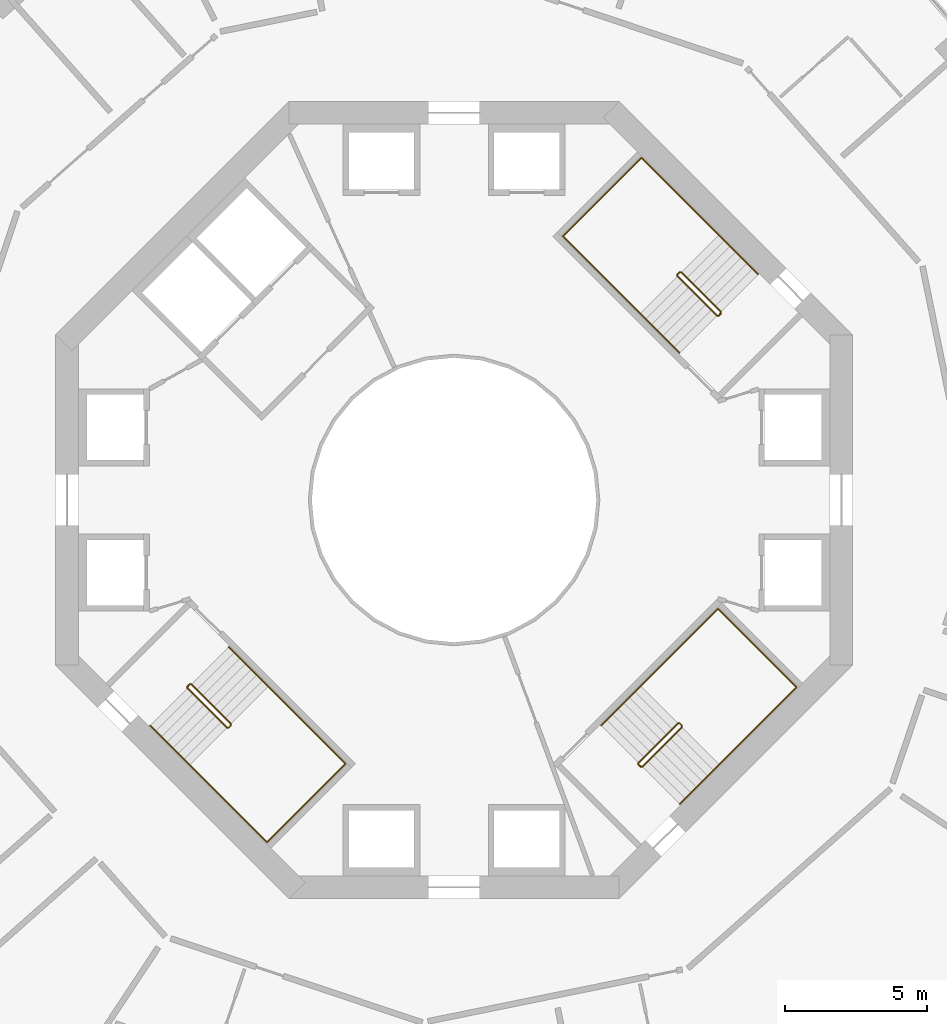
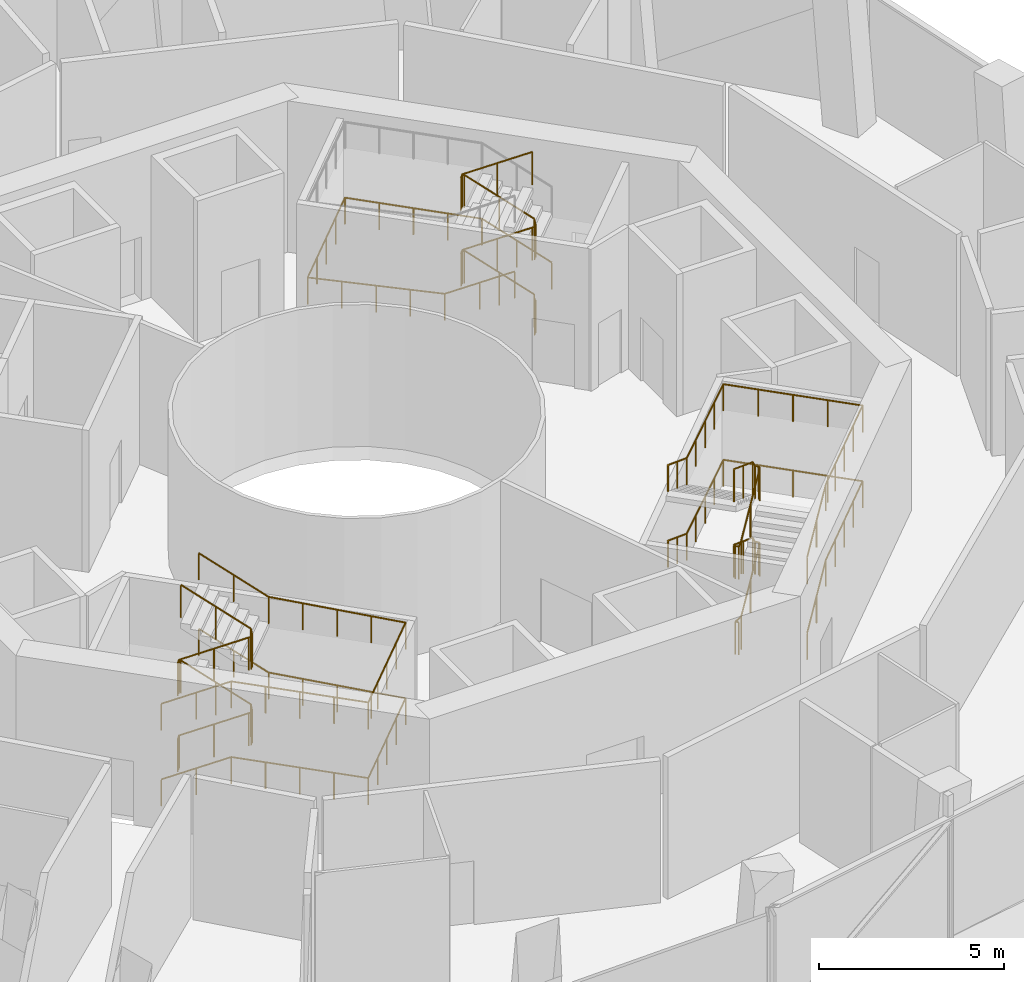
# One storey, part 19 of 20: 8 railings.
"""IFC4 building model written with IfcOpenShell, lengths in metres."""

from ifc_helpers import new_model, si_unit, direction, frame, origin, origin_2d, place, context, subcontext, project, spatial, circle, extrude, material, type_object, element, save


model = new_model("IFC4")

# Units and contexts
model_context = context("Model", 3, precision=1e-05, world=origin(), true_north=direction((0.0, 1.0)))
body_context = subcontext(model_context, "Body", "Model", "MODEL_VIEW")
ifc_project = project(units=[si_unit("LENGTHUNIT", "METRE"), si_unit("AREAUNIT", "SQUARE_METRE"), si_unit("VOLUMEUNIT", "CUBIC_METRE"), si_unit("PLANEANGLEUNIT", "RADIAN"), si_unit("MASSUNIT", "GRAM", prefix="KILO")], contexts=[model_context])

# Site, building, storey
site_placement = place(None, origin())
site = spatial("IfcSite", under=ifc_project, at=site_placement, CompositionType="ELEMENT")
building_placement = place(site_placement, origin())
building = spatial("IfcBuilding", under=site, at=building_placement, Name="Verdalira Terraces Hotel", CompositionType="ELEMENT")
storey_placement = place(building_placement, frame((0.0, 0.0, 81.0)))
storey = spatial("IfcBuildingStorey", under=building, at=storey_placement, Name="L18", CompositionType="ELEMENT", Elevation=81.0)

# Railings
ifc_material_1 = material(Name="Stainless steel", Category="steel")
railing_type_1 = type_object("IfcRailingType", Name="Stair guard 1100", PredefinedType="GUARDRAIL", material=ifc_material_1)
railing_1_placement = place(storey_placement, frame((9.369141, 6.540771, 0.0)))
element("IfcRailing", 1, at=railing_1_placement, inside=storey, type_object=railing_type_1, Name="L18 ST1 stair guard 1", PredefinedType="GUARDRAIL", context=body_context, shape_type="SweptSolid", body=[
    extrude(circle(Radius=0.023926, at=origin_2d()), frame((0.0, 0.0, 1.076172), z_axis=(-0.707106781, -0.707106781, 0.0), x_axis=(0.707106781, -0.707106781, 0.0)), (0.0, 0.0, 1.0), 0.100098),
    extrude(circle(Radius=0.023926, at=origin_2d()), frame((-0.070801, -0.070801, 1.076172), z_axis=(0.318519619, 0.635940894, 0.702939849), x_axis=(-0.894118129, 0.447831187, 0.0)), (0.0, 0.0, 1.0), 0.222168),
    extrude(circle(Radius=0.023926, at=origin_2d()), frame((0.0, 0.070557, 1.232422), z_axis=(-0.61747733, 0.61747733, 0.48728174), x_axis=(-0.707106781, -0.707106781, 0.0)), (0.0, 0.0, 1.0), 2.244629),
    extrude(circle(Radius=0.023926, at=origin_2d()), frame((-1.385986, 1.456543, 2.326172), z_axis=(-1.0, 0.0, 0.0), x_axis=(0.0, -1.0, 0.0)), (0.0, 0.0, 1.0), 0.070557),
    extrude(circle(Radius=0.023926, at=origin_2d()), frame((-1.456543, 1.456543, 2.326172), z_axis=(-0.70832698, -0.705884473, 0.0), x_axis=(0.705884473, -0.70832698, 0.0)), (0.0, 0.0, 1.0), 0.099854),
    extrude(circle(Radius=0.023926, at=origin_2d()), frame((-1.527344, 1.385986, 2.326172), z_axis=(0.0, -0.412730377, 0.910853246), x_axis=(1.0, 0.0, 0.0)), (0.0, 0.0, 1.0), 0.171631),
    extrude(circle(Radius=0.023926, at=origin_2d()), frame((-1.527344, 1.315186, 2.482422), z_axis=(0.61747733, -0.61747733, 0.48728174), x_axis=(0.707106781, 0.707106781, 0.0)), (0.0, 0.0, 1.0), 2.244629),
    extrude(circle(Radius=0.023926, at=origin_2d()), frame((-0.141357, -0.070801, 3.576172), z_axis=(1.0, 0.0, 0.0), x_axis=(0.0, 1.0, 0.0)), (0.0, 0.0, 1.0), 0.070557),
    extrude(circle(Radius=0.023926, at=origin_2d()), frame((-0.070801, -0.070801, 3.576172), z_axis=(0.707106781, 0.707106781, 0.0), x_axis=(-0.707106781, 0.707106781, 0.0)), (0.0, 0.0, 1.0), 0.100098),
    extrude(circle(Radius=0.023926, at=origin_2d()), frame((0.0, 0.0, 3.576172), z_axis=(0.0, 0.411548567, 0.91138783), x_axis=(-1.0, 0.0, 0.0)), (0.0, 0.0, 1.0), 0.171387),
    extrude(circle(Radius=0.023926, at=origin_2d()), frame((0.0, 0.070557, 3.732422), z_axis=(-0.61747733, 0.61747733, 0.48728174), x_axis=(-0.707106781, -0.707106781, 0.0)), (0.0, 0.0, 1.0), 2.244629),
    extrude(circle(Radius=0.023926, at=origin_2d()), frame((-1.385986, 1.456543, 4.826172), z_axis=(-1.0, 0.0, 0.0), x_axis=(0.0, -1.0, 0.0)), (0.0, 0.0, 1.0), 0.070557),
    extrude(circle(Radius=0.023926, at=origin_2d()), frame((-1.456543, 1.456543, 4.826172), z_axis=(-0.70832698, -0.705884473, 0.0), x_axis=(0.705884473, -0.70832698, 0.0)), (0.0, 0.0, 1.0), 0.099854),
    extrude(circle(Radius=0.023926, at=origin_2d()), frame((-1.527344, 1.385986, 4.826172), z_axis=(0.0, -0.412730377, 0.910853246), x_axis=(1.0, 0.0, 0.0)), (0.0, 0.0, 1.0), 0.171631),
    extrude(circle(Radius=0.023926, at=origin_2d()), frame((-1.527344, 1.315186, 4.982422), z_axis=(0.61747733, -0.61747733, 0.48728174), x_axis=(0.707106781, 0.707106781, 0.0)), (0.0, 0.0, 1.0), 2.244629),
    extrude(circle(Radius=0.020996, at=origin_2d()), origin(), (0.0, 0.0, 1.0), 1.052002),
    extrude(circle(Radius=0.020996, at=origin_2d()), frame((-0.070801, -0.070801, 0.0)), (0.0, 0.0, 1.0), 1.052002),
    extrude(circle(Radius=0.020996, at=origin_2d()), frame((0.0, 0.070557, 0.15625)), (0.0, 0.0, 1.0), 1.052002),
    extrude(circle(Radius=0.020996, at=origin_2d()), frame((-0.692871, 0.763672, 0.703125)), (0.0, 0.0, 1.0), 1.052002),
    extrude(circle(Radius=0.020996, at=origin_2d()), frame((-1.385986, 1.456543, 1.25)), (0.0, 0.0, 1.0), 1.052002),
    extrude(circle(Radius=0.020996, at=origin_2d()), frame((-1.456543, 1.456543, 1.25)), (0.0, 0.0, 1.0), 1.052002),
    extrude(circle(Radius=0.020996, at=origin_2d()), frame((-1.527344, 1.385986, 1.25)), (0.0, 0.0, 1.0), 1.052002),
    extrude(circle(Radius=0.020996, at=origin_2d()), frame((-1.527344, 1.315186, 1.40625)), (0.0, 0.0, 1.0), 1.052002),
    extrude(circle(Radius=0.020996, at=origin_2d()), frame((-0.834473, 0.62207, 1.953125)), (0.0, 0.0, 1.0), 1.052002),
    extrude(circle(Radius=0.020996, at=origin_2d()), frame((-0.141357, -0.070801, 2.5)), (0.0, 0.0, 1.0), 1.052002),
    extrude(circle(Radius=0.020996, at=origin_2d()), frame((-0.070801, -0.070801, 2.5)), (0.0, 0.0, 1.0), 1.052002),
    extrude(circle(Radius=0.020996, at=origin_2d()), frame((0.0, 0.0, 2.5)), (0.0, 0.0, 1.0), 1.052002),
    extrude(circle(Radius=0.020996, at=origin_2d()), frame((0.0, 0.070557, 2.65625)), (0.0, 0.0, 1.0), 1.052002),
    extrude(circle(Radius=0.020996, at=origin_2d()), frame((-0.692871, 0.763672, 3.203125)), (0.0, 0.0, 1.0), 1.052002),
    extrude(circle(Radius=0.020996, at=origin_2d()), frame((-1.385986, 1.456543, 3.75)), (0.0, 0.0, 1.0), 1.052002),
    extrude(circle(Radius=0.020996, at=origin_2d()), frame((-1.456543, 1.456543, 3.75)), (0.0, 0.0, 1.0), 1.052002),
    extrude(circle(Radius=0.020996, at=origin_2d()), frame((-1.527344, 1.385986, 3.75)), (0.0, 0.0, 1.0), 1.052002),
    extrude(circle(Radius=0.020996, at=origin_2d()), frame((-1.527344, 1.315186, 3.90625)), (0.0, 0.0, 1.0), 1.052002),
    extrude(circle(Radius=0.020996, at=origin_2d()), frame((-0.834473, 0.62207, 4.453125)), (0.0, 0.0, 1.0), 1.052002),
    extrude(circle(Radius=0.020996, at=origin_2d()), frame((-0.141357, -0.070801, 5.0)), (0.0, 0.0, 1.0), 1.052002),
])
railing_2_placement = place(storey_placement, frame((-9.369141, -6.540771, 0.0)))
element("IfcRailing", 2, at=railing_2_placement, inside=storey, type_object=railing_type_1, Name="L18 ST2 stair guard 1", PredefinedType="GUARDRAIL", context=body_context, shape_type="SweptSolid", body=[
    extrude(circle(Radius=0.023926, at=origin_2d()), frame((0.0, 0.0, 1.076172), z_axis=(0.707106781, 0.707106781, 0.0), x_axis=(-0.707106781, 0.707106781, 0.0)), (0.0, 0.0, 1.0), 0.100098),
    extrude(circle(Radius=0.023926, at=origin_2d()), frame((0.070801, 0.070801, 1.076172), z_axis=(-0.318519619, -0.635940894, 0.702939849), x_axis=(0.894118129, -0.447831187, 0.0)), (0.0, 0.0, 1.0), 0.222168),
    extrude(circle(Radius=0.023926, at=origin_2d()), frame((0.0, -0.070557, 1.232422), z_axis=(0.61747733, -0.61747733, 0.48728174), x_axis=(0.707106781, 0.707106781, 0.0)), (0.0, 0.0, 1.0), 2.244629),
    extrude(circle(Radius=0.023926, at=origin_2d()), frame((1.385986, -1.456543, 2.326172), z_axis=(1.0, 0.0, 0.0), x_axis=(0.0, 1.0, 0.0)), (0.0, 0.0, 1.0), 0.070557),
    extrude(circle(Radius=0.023926, at=origin_2d()), frame((1.456543, -1.456543, 2.326172), z_axis=(0.70832698, 0.705884473, 0.0), x_axis=(-0.705884473, 0.70832698, 0.0)), (0.0, 0.0, 1.0), 0.099854),
    extrude(circle(Radius=0.023926, at=origin_2d()), frame((1.527344, -1.385986, 2.326172), z_axis=(0.0, 0.412730377, 0.910853246), x_axis=(-1.0, 0.0, 0.0)), (0.0, 0.0, 1.0), 0.171631),
    extrude(circle(Radius=0.023926, at=origin_2d()), frame((1.527344, -1.315186, 2.482422), z_axis=(-0.61747733, 0.61747733, 0.48728174), x_axis=(-0.707106781, -0.707106781, 0.0)), (0.0, 0.0, 1.0), 2.244629),
    extrude(circle(Radius=0.023926, at=origin_2d()), frame((0.141357, 0.070801, 3.576172), z_axis=(-1.0, 0.0, 0.0), x_axis=(0.0, -1.0, 0.0)), (0.0, 0.0, 1.0), 0.070557),
    extrude(circle(Radius=0.023926, at=origin_2d()), frame((0.070801, 0.070801, 3.576172), z_axis=(-0.707106781, -0.707106781, 0.0), x_axis=(0.707106781, -0.707106781, 0.0)), (0.0, 0.0, 1.0), 0.100098),
    extrude(circle(Radius=0.023926, at=origin_2d()), frame((0.0, 0.0, 3.576172), z_axis=(0.0, -0.411548567, 0.91138783), x_axis=(1.0, 0.0, 0.0)), (0.0, 0.0, 1.0), 0.171387),
    extrude(circle(Radius=0.023926, at=origin_2d()), frame((0.0, -0.070557, 3.732422), z_axis=(0.61747733, -0.61747733, 0.48728174), x_axis=(0.707106781, 0.707106781, 0.0)), (0.0, 0.0, 1.0), 2.244629),
    extrude(circle(Radius=0.023926, at=origin_2d()), frame((1.385986, -1.456543, 4.826172), z_axis=(1.0, 0.0, 0.0), x_axis=(0.0, 1.0, 0.0)), (0.0, 0.0, 1.0), 0.070557),
    extrude(circle(Radius=0.023926, at=origin_2d()), frame((1.456543, -1.456543, 4.826172), z_axis=(0.70832698, 0.705884473, 0.0), x_axis=(-0.705884473, 0.70832698, 0.0)), (0.0, 0.0, 1.0), 0.099854),
    extrude(circle(Radius=0.023926, at=origin_2d()), frame((1.527344, -1.385986, 4.826172), z_axis=(0.0, 0.412730377, 0.910853246), x_axis=(-1.0, 0.0, 0.0)), (0.0, 0.0, 1.0), 0.171631),
    extrude(circle(Radius=0.023926, at=origin_2d()), frame((1.527344, -1.315186, 4.982422), z_axis=(-0.61747733, 0.61747733, 0.48728174), x_axis=(-0.707106781, -0.707106781, 0.0)), (0.0, 0.0, 1.0), 2.244629),
    extrude(circle(Radius=0.020996, at=origin_2d()), origin(), (0.0, 0.0, 1.0), 1.052002),
    extrude(circle(Radius=0.020996, at=origin_2d()), frame((0.070801, 0.070801, 0.0)), (0.0, 0.0, 1.0), 1.052002),
    extrude(circle(Radius=0.020996, at=origin_2d()), frame((0.0, -0.070557, 0.15625)), (0.0, 0.0, 1.0), 1.052002),
    extrude(circle(Radius=0.020996, at=origin_2d()), frame((0.692871, -0.763672, 0.703125)), (0.0, 0.0, 1.0), 1.052002),
    extrude(circle(Radius=0.020996, at=origin_2d()), frame((1.385986, -1.456543, 1.25)), (0.0, 0.0, 1.0), 1.052002),
    extrude(circle(Radius=0.020996, at=origin_2d()), frame((1.456543, -1.456543, 1.25)), (0.0, 0.0, 1.0), 1.052002),
    extrude(circle(Radius=0.020996, at=origin_2d()), frame((1.527344, -1.385986, 1.25)), (0.0, 0.0, 1.0), 1.052002),
    extrude(circle(Radius=0.020996, at=origin_2d()), frame((1.527344, -1.315186, 1.40625)), (0.0, 0.0, 1.0), 1.052002),
    extrude(circle(Radius=0.020996, at=origin_2d()), frame((0.834473, -0.62207, 1.953125)), (0.0, 0.0, 1.0), 1.052002),
    extrude(circle(Radius=0.020996, at=origin_2d()), frame((0.141357, 0.070801, 2.5)), (0.0, 0.0, 1.0), 1.052002),
    extrude(circle(Radius=0.020996, at=origin_2d()), frame((0.070801, 0.070801, 2.5)), (0.0, 0.0, 1.0), 1.052002),
    extrude(circle(Radius=0.020996, at=origin_2d()), frame((0.0, 0.0, 2.5)), (0.0, 0.0, 1.0), 1.052002),
    extrude(circle(Radius=0.020996, at=origin_2d()), frame((0.0, -0.070557, 2.65625)), (0.0, 0.0, 1.0), 1.052002),
    extrude(circle(Radius=0.020996, at=origin_2d()), frame((0.692871, -0.763672, 3.203125)), (0.0, 0.0, 1.0), 1.052002),
    extrude(circle(Radius=0.020996, at=origin_2d()), frame((1.385986, -1.456543, 3.75)), (0.0, 0.0, 1.0), 1.052002),
    extrude(circle(Radius=0.020996, at=origin_2d()), frame((1.456543, -1.456543, 3.75)), (0.0, 0.0, 1.0), 1.052002),
    extrude(circle(Radius=0.020996, at=origin_2d()), frame((1.527344, -1.385986, 3.75)), (0.0, 0.0, 1.0), 1.052002),
    extrude(circle(Radius=0.020996, at=origin_2d()), frame((1.527344, -1.315186, 3.90625)), (0.0, 0.0, 1.0), 1.052002),
    extrude(circle(Radius=0.020996, at=origin_2d()), frame((0.834473, -0.62207, 4.453125)), (0.0, 0.0, 1.0), 1.052002),
    extrude(circle(Radius=0.020996, at=origin_2d()), frame((0.141357, 0.070801, 5.0)), (0.0, 0.0, 1.0), 1.052002),
])
railing_3_placement = place(storey_placement, frame((6.540771, -9.369141, 0.0)))
element("IfcRailing", 3, at=railing_3_placement, inside=storey, type_object=railing_type_1, Name="L18 ST3 stair guard 1", PredefinedType="GUARDRAIL", context=body_context, shape_type="SweptSolid", body=[
    extrude(circle(Radius=0.023926, at=origin_2d()), frame((0.0, 0.0, 1.076172), z_axis=(-0.707106781, 0.707106781, 0.0), x_axis=(-0.707106781, -0.707106781, 0.0)), (0.0, 0.0, 1.0), 0.100098),
    extrude(circle(Radius=0.023926, at=origin_2d()), frame((-0.070801, 0.070801, 1.076172), z_axis=(0.635940894, -0.318519619, 0.702939849), x_axis=(0.447831187, 0.894118129, 0.0)), (0.0, 0.0, 1.0), 0.222168),
    extrude(circle(Radius=0.023926, at=origin_2d()), frame((0.070557, 0.0, 1.232422), z_axis=(0.61747733, 0.61747733, 0.48728174), x_axis=(-0.707106781, 0.707106781, 0.0)), (0.0, 0.0, 1.0), 2.244629),
    extrude(circle(Radius=0.023926, at=origin_2d()), frame((1.456543, 1.385986, 2.326172), z_axis=(0.0, 1.0, 0.0), x_axis=(-1.0, 0.0, 0.0)), (0.0, 0.0, 1.0), 0.070557),
    extrude(circle(Radius=0.023926, at=origin_2d()), frame((1.456543, 1.456543, 2.326172), z_axis=(-0.705884473, 0.70832698, 0.0), x_axis=(-0.70832698, -0.705884473, 0.0)), (0.0, 0.0, 1.0), 0.099854),
    extrude(circle(Radius=0.023926, at=origin_2d()), frame((1.385986, 1.527344, 2.326172), z_axis=(-0.412730377, 0.0, 0.910853246), x_axis=(0.0, -1.0, 0.0)), (0.0, 0.0, 1.0), 0.171631),
    extrude(circle(Radius=0.023926, at=origin_2d()), frame((1.315186, 1.527344, 2.482422), z_axis=(-0.61747733, -0.61747733, 0.48728174), x_axis=(0.707106781, -0.707106781, 0.0)), (0.0, 0.0, 1.0), 2.244629),
    extrude(circle(Radius=0.023926, at=origin_2d()), frame((-0.070801, 0.141357, 3.576172), z_axis=(0.0, -1.0, 0.0), x_axis=(1.0, 0.0, 0.0)), (0.0, 0.0, 1.0), 0.070557),
    extrude(circle(Radius=0.023926, at=origin_2d()), frame((-0.070801, 0.070801, 3.576172), z_axis=(0.707106781, -0.707106781, 0.0), x_axis=(0.707106781, 0.707106781, 0.0)), (0.0, 0.0, 1.0), 0.100098),
    extrude(circle(Radius=0.023926, at=origin_2d()), frame((0.0, 0.0, 3.576172), z_axis=(0.411548567, 0.0, 0.91138783), x_axis=(0.0, 1.0, 0.0)), (0.0, 0.0, 1.0), 0.171387),
    extrude(circle(Radius=0.023926, at=origin_2d()), frame((0.070557, 0.0, 3.732422), z_axis=(0.61747733, 0.61747733, 0.48728174), x_axis=(-0.707106781, 0.707106781, 0.0)), (0.0, 0.0, 1.0), 2.244629),
    extrude(circle(Radius=0.023926, at=origin_2d()), frame((1.456543, 1.385986, 4.826172), z_axis=(0.0, 1.0, 0.0), x_axis=(-1.0, 0.0, 0.0)), (0.0, 0.0, 1.0), 0.070557),
    extrude(circle(Radius=0.023926, at=origin_2d()), frame((1.456543, 1.456543, 4.826172), z_axis=(-0.705884473, 0.70832698, 0.0), x_axis=(-0.70832698, -0.705884473, 0.0)), (0.0, 0.0, 1.0), 0.099854),
    extrude(circle(Radius=0.023926, at=origin_2d()), frame((1.385986, 1.527344, 4.826172), z_axis=(-0.412730377, 0.0, 0.910853246), x_axis=(0.0, -1.0, 0.0)), (0.0, 0.0, 1.0), 0.171631),
    extrude(circle(Radius=0.023926, at=origin_2d()), frame((1.315186, 1.527344, 4.982422), z_axis=(-0.61747733, -0.61747733, 0.48728174), x_axis=(0.707106781, -0.707106781, 0.0)), (0.0, 0.0, 1.0), 2.244629),
    extrude(circle(Radius=0.020996, at=origin_2d()), origin(), (0.0, 0.0, 1.0), 1.052002),
    extrude(circle(Radius=0.020996, at=origin_2d()), frame((-0.070801, 0.070801, 0.0)), (0.0, 0.0, 1.0), 1.052002),
    extrude(circle(Radius=0.020996, at=origin_2d()), frame((0.070557, 0.0, 0.15625)), (0.0, 0.0, 1.0), 1.052002),
    extrude(circle(Radius=0.020996, at=origin_2d()), frame((0.763672, 0.692871, 0.703125)), (0.0, 0.0, 1.0), 1.052002),
    extrude(circle(Radius=0.020996, at=origin_2d()), frame((1.456543, 1.385986, 1.25)), (0.0, 0.0, 1.0), 1.052002),
    extrude(circle(Radius=0.020996, at=origin_2d()), frame((1.456543, 1.456543, 1.25)), (0.0, 0.0, 1.0), 1.052002),
    extrude(circle(Radius=0.020996, at=origin_2d()), frame((1.385986, 1.527344, 1.25)), (0.0, 0.0, 1.0), 1.052002),
    extrude(circle(Radius=0.020996, at=origin_2d()), frame((1.315186, 1.527344, 1.40625)), (0.0, 0.0, 1.0), 1.052002),
    extrude(circle(Radius=0.020996, at=origin_2d()), frame((0.62207, 0.834473, 1.953125)), (0.0, 0.0, 1.0), 1.052002),
    extrude(circle(Radius=0.020996, at=origin_2d()), frame((-0.070801, 0.141357, 2.5)), (0.0, 0.0, 1.0), 1.052002),
    extrude(circle(Radius=0.020996, at=origin_2d()), frame((-0.070801, 0.070801, 2.5)), (0.0, 0.0, 1.0), 1.052002),
    extrude(circle(Radius=0.020996, at=origin_2d()), frame((0.0, 0.0, 2.5)), (0.0, 0.0, 1.0), 1.052002),
    extrude(circle(Radius=0.020996, at=origin_2d()), frame((0.070557, 0.0, 2.65625)), (0.0, 0.0, 1.0), 1.052002),
    extrude(circle(Radius=0.020996, at=origin_2d()), frame((0.763672, 0.692871, 3.203125)), (0.0, 0.0, 1.0), 1.052002),
    extrude(circle(Radius=0.020996, at=origin_2d()), frame((1.456543, 1.385986, 3.75)), (0.0, 0.0, 1.0), 1.052002),
    extrude(circle(Radius=0.020996, at=origin_2d()), frame((1.456543, 1.456543, 3.75)), (0.0, 0.0, 1.0), 1.052002),
    extrude(circle(Radius=0.020996, at=origin_2d()), frame((1.385986, 1.527344, 3.75)), (0.0, 0.0, 1.0), 1.052002),
    extrude(circle(Radius=0.020996, at=origin_2d()), frame((1.315186, 1.527344, 3.90625)), (0.0, 0.0, 1.0), 1.052002),
    extrude(circle(Radius=0.020996, at=origin_2d()), frame((0.62207, 0.834473, 4.453125)), (0.0, 0.0, 1.0), 1.052002),
    extrude(circle(Radius=0.020996, at=origin_2d()), frame((-0.070801, 0.141357, 5.0)), (0.0, 0.0, 1.0), 1.052002),
])
ifc_material_2 = material(Name="Stainless steel", Category="steel")
railing_type_2 = type_object("IfcRailingType", Name="Stair handrail 900", PredefinedType="HANDRAIL", material=ifc_material_2)
railing_4_placement = place(storey_placement, frame((10.677246, 7.919678, 0.15625)))
element("IfcRailing", 4, at=railing_4_placement, inside=storey, type_object=railing_type_2, Name="L18 ST1 stair handrail 1", PredefinedType="HANDRAIL", context=body_context, shape_type="SweptSolid", body=[
    extrude(circle(Radius=0.023926, at=origin_2d()), frame((0.0, 0.0, 0.875977), z_axis=(-0.617451498, 0.617451498, 0.487347201), x_axis=(-0.707106781, -0.707106781, 0.0)), (0.0, 0.0, 1.0), 2.244385),
    extrude(circle(Radius=0.023926, at=origin_2d()), frame((-1.385742, 1.385742, 1.969727), z_axis=(-0.707106781, 0.707106781, 0.0), x_axis=(-0.707106781, -0.707106781, 0.0)), (0.0, 0.0, 1.0), 3.840088),
    extrude(circle(Radius=0.023926, at=origin_2d()), frame((-4.101074, 4.101074, 1.969727), z_axis=(-0.707138081, -0.70707548, 0.0), x_axis=(0.70707548, -0.707138081, 0.0)), (0.0, 0.0, 1.0), 3.899902),
    extrude(circle(Radius=0.023926, at=origin_2d()), frame((-6.858887, 1.343506, 1.969727), z_axis=(0.706522152, -0.706522152, 0.040655833), x_axis=(0.707106781, 0.707106781, 0.0)), (0.0, 0.0, 1.0), 3.843262),
    extrude(circle(Radius=0.023926, at=origin_2d()), frame((-4.143555, -1.371826, 2.125977), z_axis=(0.61747733, -0.61747733, 0.48728174), x_axis=(0.707106781, 0.707106781, 0.0)), (0.0, 0.0, 1.0), 2.244629),
    extrude(circle(Radius=0.020996, at=origin_2d()), origin(), (0.0, 0.0, 1.0), 0.851807),
    extrude(circle(Radius=0.020996, at=origin_2d()), frame((-0.692871, 0.692871, 0.546875)), (0.0, 0.0, 1.0), 0.851807),
    extrude(circle(Radius=0.020996, at=origin_2d()), frame((-1.385742, 1.385742, 1.09375)), (0.0, 0.0, 1.0), 0.851807),
    extrude(circle(Radius=0.020996, at=origin_2d()), frame((-2.064453, 2.064453, 1.09375)), (0.0, 0.0, 1.0), 0.851807),
    extrude(circle(Radius=0.020996, at=origin_2d()), frame((-2.743408, 2.743408, 1.09375)), (0.0, 0.0, 1.0), 0.851807),
    extrude(circle(Radius=0.020996, at=origin_2d()), frame((-3.422363, 3.422363, 1.09375)), (0.0, 0.0, 1.0), 0.851807),
    extrude(circle(Radius=0.020996, at=origin_2d()), frame((-4.101074, 4.101074, 1.09375)), (0.0, 0.0, 1.0), 0.851807),
    extrude(circle(Radius=0.020996, at=origin_2d()), frame((-4.790527, 3.411621, 1.09375)), (0.0, 0.0, 1.0), 0.851807),
    extrude(circle(Radius=0.020996, at=origin_2d()), frame((-5.47998, 2.722168, 1.09375)), (0.0, 0.0, 1.0), 0.851807),
    extrude(circle(Radius=0.020996, at=origin_2d()), frame((-6.169434, 2.032959, 1.09375)), (0.0, 0.0, 1.0), 0.851807),
    extrude(circle(Radius=0.020996, at=origin_2d()), frame((-6.858887, 1.343506, 1.09375)), (0.0, 0.0, 1.0), 0.851807),
    extrude(circle(Radius=0.020996, at=origin_2d()), frame((-6.180176, 0.664551, 1.132812)), (0.0, 0.0, 1.0), 0.851807),
    extrude(circle(Radius=0.020996, at=origin_2d()), frame((-5.501221, -0.01416, 1.171875)), (0.0, 0.0, 1.0), 0.851807),
    extrude(circle(Radius=0.020996, at=origin_2d()), frame((-4.822266, -0.692871, 1.210938)), (0.0, 0.0, 1.0), 0.851807),
    extrude(circle(Radius=0.020996, at=origin_2d()), frame((-4.143555, -1.371826, 1.25)), (0.0, 0.0, 1.0), 0.851807),
    extrude(circle(Radius=0.020996, at=origin_2d()), frame((-3.450684, -2.064941, 1.796875)), (0.0, 0.0, 1.0), 0.851807),
    extrude(circle(Radius=0.020996, at=origin_2d()), frame((-2.757568, -2.757812, 2.34375)), (0.0, 0.0, 1.0), 0.851807),
])
railing_5_placement = place(storey_placement, frame((-10.677246, -7.919678, 0.15625)))
element("IfcRailing", 5, at=railing_5_placement, inside=storey, type_object=railing_type_2, Name="L18 ST2 stair handrail 1", PredefinedType="HANDRAIL", context=body_context, shape_type="SweptSolid", body=[
    extrude(circle(Radius=0.023926, at=origin_2d()), frame((0.0, 0.0, 0.875977), z_axis=(0.617451498, -0.617451498, 0.487347201), x_axis=(0.707106781, 0.707106781, 0.0)), (0.0, 0.0, 1.0), 2.244385),
    extrude(circle(Radius=0.023926, at=origin_2d()), frame((1.385742, -1.385742, 1.969727), z_axis=(0.707106781, -0.707106781, 0.0), x_axis=(0.707106781, 0.707106781, 0.0)), (0.0, 0.0, 1.0), 3.840088),
    extrude(circle(Radius=0.023926, at=origin_2d()), frame((4.101074, -4.101074, 1.969727), z_axis=(0.707138081, 0.70707548, 0.0), x_axis=(-0.70707548, 0.707138081, 0.0)), (0.0, 0.0, 1.0), 3.899902),
    extrude(circle(Radius=0.023926, at=origin_2d()), frame((6.858887, -1.343506, 1.969727), z_axis=(-0.706522152, 0.706522152, 0.040655833), x_axis=(-0.707106781, -0.707106781, 0.0)), (0.0, 0.0, 1.0), 3.843262),
    extrude(circle(Radius=0.023926, at=origin_2d()), frame((4.143555, 1.371826, 2.125977), z_axis=(-0.61747733, 0.61747733, 0.48728174), x_axis=(-0.707106781, -0.707106781, 0.0)), (0.0, 0.0, 1.0), 2.244629),
    extrude(circle(Radius=0.020996, at=origin_2d()), origin(), (0.0, 0.0, 1.0), 0.851807),
    extrude(circle(Radius=0.020996, at=origin_2d()), frame((0.692871, -0.692871, 0.546875)), (0.0, 0.0, 1.0), 0.851807),
    extrude(circle(Radius=0.020996, at=origin_2d()), frame((1.385742, -1.385742, 1.09375)), (0.0, 0.0, 1.0), 0.851807),
    extrude(circle(Radius=0.020996, at=origin_2d()), frame((2.064453, -2.064453, 1.09375)), (0.0, 0.0, 1.0), 0.851807),
    extrude(circle(Radius=0.020996, at=origin_2d()), frame((2.743408, -2.743408, 1.09375)), (0.0, 0.0, 1.0), 0.851807),
    extrude(circle(Radius=0.020996, at=origin_2d()), frame((3.422363, -3.422363, 1.09375)), (0.0, 0.0, 1.0), 0.851807),
    extrude(circle(Radius=0.020996, at=origin_2d()), frame((4.101074, -4.101074, 1.09375)), (0.0, 0.0, 1.0), 0.851807),
    extrude(circle(Radius=0.020996, at=origin_2d()), frame((4.790527, -3.411621, 1.09375)), (0.0, 0.0, 1.0), 0.851807),
    extrude(circle(Radius=0.020996, at=origin_2d()), frame((5.47998, -2.722168, 1.09375)), (0.0, 0.0, 1.0), 0.851807),
    extrude(circle(Radius=0.020996, at=origin_2d()), frame((6.169434, -2.032959, 1.09375)), (0.0, 0.0, 1.0), 0.851807),
    extrude(circle(Radius=0.020996, at=origin_2d()), frame((6.858887, -1.343506, 1.09375)), (0.0, 0.0, 1.0), 0.851807),
    extrude(circle(Radius=0.020996, at=origin_2d()), frame((6.180176, -0.664551, 1.132812)), (0.0, 0.0, 1.0), 0.851807),
    extrude(circle(Radius=0.020996, at=origin_2d()), frame((5.501221, 0.01416, 1.171875)), (0.0, 0.0, 1.0), 0.851807),
    extrude(circle(Radius=0.020996, at=origin_2d()), frame((4.822266, 0.692871, 1.210938)), (0.0, 0.0, 1.0), 0.851807),
    extrude(circle(Radius=0.020996, at=origin_2d()), frame((4.143555, 1.371826, 1.25)), (0.0, 0.0, 1.0), 0.851807),
    extrude(circle(Radius=0.020996, at=origin_2d()), frame((3.450684, 2.064941, 1.796875)), (0.0, 0.0, 1.0), 0.851807),
    extrude(circle(Radius=0.020996, at=origin_2d()), frame((2.757568, 2.757812, 2.34375)), (0.0, 0.0, 1.0), 0.851807),
])
railing_6_placement = place(storey_placement, frame((-10.677246, -7.919678, 2.65625)))
element("IfcRailing", 6, at=railing_6_placement, inside=storey, type_object=railing_type_2, Name="L18 ST2 stair handrail 2", PredefinedType="HANDRAIL", context=body_context, shape_type="SweptSolid", body=[
    extrude(circle(Radius=0.023926, at=origin_2d()), frame((0.0, 0.0, 0.875977), z_axis=(0.617451498, -0.617451498, 0.487347201), x_axis=(0.707106781, 0.707106781, 0.0)), (0.0, 0.0, 1.0), 2.244385),
    extrude(circle(Radius=0.023926, at=origin_2d()), frame((1.385742, -1.385742, 1.969727), z_axis=(0.707106781, -0.707106781, 0.0), x_axis=(0.707106781, 0.707106781, 0.0)), (0.0, 0.0, 1.0), 3.840088),
    extrude(circle(Radius=0.023926, at=origin_2d()), frame((4.101074, -4.101074, 1.969727), z_axis=(0.707138081, 0.70707548, 0.0), x_axis=(-0.70707548, 0.707138081, 0.0)), (0.0, 0.0, 1.0), 3.899902),
    extrude(circle(Radius=0.023926, at=origin_2d()), frame((6.858887, -1.343506, 1.969727), z_axis=(-0.706522152, 0.706522152, 0.040655833), x_axis=(-0.707106781, -0.707106781, 0.0)), (0.0, 0.0, 1.0), 3.843262),
    extrude(circle(Radius=0.023926, at=origin_2d()), frame((4.143555, 1.371826, 2.125977), z_axis=(-0.61747733, 0.61747733, 0.48728174), x_axis=(-0.707106781, -0.707106781, 0.0)), (0.0, 0.0, 1.0), 2.244629),
    extrude(circle(Radius=0.020996, at=origin_2d()), origin(), (0.0, 0.0, 1.0), 0.851807),
    extrude(circle(Radius=0.020996, at=origin_2d()), frame((0.692871, -0.692871, 0.546875)), (0.0, 0.0, 1.0), 0.851807),
    extrude(circle(Radius=0.020996, at=origin_2d()), frame((1.385742, -1.385742, 1.09375)), (0.0, 0.0, 1.0), 0.851807),
    extrude(circle(Radius=0.020996, at=origin_2d()), frame((2.064453, -2.064453, 1.09375)), (0.0, 0.0, 1.0), 0.851807),
    extrude(circle(Radius=0.020996, at=origin_2d()), frame((2.743408, -2.743408, 1.09375)), (0.0, 0.0, 1.0), 0.851807),
    extrude(circle(Radius=0.020996, at=origin_2d()), frame((3.422363, -3.422363, 1.09375)), (0.0, 0.0, 1.0), 0.851807),
    extrude(circle(Radius=0.020996, at=origin_2d()), frame((4.101074, -4.101074, 1.09375)), (0.0, 0.0, 1.0), 0.851807),
    extrude(circle(Radius=0.020996, at=origin_2d()), frame((4.790527, -3.411621, 1.09375)), (0.0, 0.0, 1.0), 0.851807),
    extrude(circle(Radius=0.020996, at=origin_2d()), frame((5.47998, -2.722168, 1.09375)), (0.0, 0.0, 1.0), 0.851807),
    extrude(circle(Radius=0.020996, at=origin_2d()), frame((6.169434, -2.032959, 1.09375)), (0.0, 0.0, 1.0), 0.851807),
    extrude(circle(Radius=0.020996, at=origin_2d()), frame((6.858887, -1.343506, 1.09375)), (0.0, 0.0, 1.0), 0.851807),
    extrude(circle(Radius=0.020996, at=origin_2d()), frame((6.180176, -0.664551, 1.132812)), (0.0, 0.0, 1.0), 0.851807),
    extrude(circle(Radius=0.020996, at=origin_2d()), frame((5.501221, 0.01416, 1.171875)), (0.0, 0.0, 1.0), 0.851807),
    extrude(circle(Radius=0.020996, at=origin_2d()), frame((4.822266, 0.692871, 1.210938)), (0.0, 0.0, 1.0), 0.851807),
    extrude(circle(Radius=0.020996, at=origin_2d()), frame((4.143555, 1.371826, 1.25)), (0.0, 0.0, 1.0), 0.851807),
    extrude(circle(Radius=0.020996, at=origin_2d()), frame((3.450684, 2.064941, 1.796875)), (0.0, 0.0, 1.0), 0.851807),
    extrude(circle(Radius=0.020996, at=origin_2d()), frame((2.757568, 2.757812, 2.34375)), (0.0, 0.0, 1.0), 0.851807),
])
railing_7_placement = place(storey_placement, frame((7.919678, -10.677246, 0.15625)))
element("IfcRailing", 7, at=railing_7_placement, inside=storey, type_object=railing_type_2, Name="L18 ST3 stair handrail 1", PredefinedType="HANDRAIL", context=body_context, shape_type="SweptSolid", body=[
    extrude(circle(Radius=0.023926, at=origin_2d()), frame((0.0, 0.0, 0.875977), z_axis=(0.617451498, 0.617451498, 0.487347201), x_axis=(-0.707106781, 0.707106781, 0.0)), (0.0, 0.0, 1.0), 2.244385),
    extrude(circle(Radius=0.023926, at=origin_2d()), frame((1.385742, 1.385742, 1.969727), z_axis=(0.707106781, 0.707106781, 0.0), x_axis=(-0.707106781, 0.707106781, 0.0)), (0.0, 0.0, 1.0), 3.840088),
    extrude(circle(Radius=0.023926, at=origin_2d()), frame((4.101074, 4.101074, 1.969727), z_axis=(-0.70707548, 0.707138081, 0.0), x_axis=(-0.707138081, -0.70707548, 0.0)), (0.0, 0.0, 1.0), 3.899902),
    extrude(circle(Radius=0.023926, at=origin_2d()), frame((1.343506, 6.858887, 1.969727), z_axis=(-0.706522152, -0.706522152, 0.040655833), x_axis=(0.707106781, -0.707106781, 0.0)), (0.0, 0.0, 1.0), 3.843262),
    extrude(circle(Radius=0.023926, at=origin_2d()), frame((-1.371826, 4.143555, 2.125977), z_axis=(-0.61747733, -0.61747733, 0.48728174), x_axis=(0.707106781, -0.707106781, 0.0)), (0.0, 0.0, 1.0), 2.244629),
    extrude(circle(Radius=0.020996, at=origin_2d()), origin(), (0.0, 0.0, 1.0), 0.851807),
    extrude(circle(Radius=0.020996, at=origin_2d()), frame((0.692871, 0.692871, 0.546875)), (0.0, 0.0, 1.0), 0.851807),
    extrude(circle(Radius=0.020996, at=origin_2d()), frame((1.385742, 1.385742, 1.09375)), (0.0, 0.0, 1.0), 0.851807),
    extrude(circle(Radius=0.020996, at=origin_2d()), frame((2.064453, 2.064453, 1.09375)), (0.0, 0.0, 1.0), 0.851807),
    extrude(circle(Radius=0.020996, at=origin_2d()), frame((2.743408, 2.743408, 1.09375)), (0.0, 0.0, 1.0), 0.851807),
    extrude(circle(Radius=0.020996, at=origin_2d()), frame((3.422363, 3.422363, 1.09375)), (0.0, 0.0, 1.0), 0.851807),
    extrude(circle(Radius=0.020996, at=origin_2d()), frame((4.101074, 4.101074, 1.09375)), (0.0, 0.0, 1.0), 0.851807),
    extrude(circle(Radius=0.020996, at=origin_2d()), frame((3.411621, 4.790527, 1.09375)), (0.0, 0.0, 1.0), 0.851807),
    extrude(circle(Radius=0.020996, at=origin_2d()), frame((2.722168, 5.47998, 1.09375)), (0.0, 0.0, 1.0), 0.851807),
    extrude(circle(Radius=0.020996, at=origin_2d()), frame((2.032959, 6.169434, 1.09375)), (0.0, 0.0, 1.0), 0.851807),
    extrude(circle(Radius=0.020996, at=origin_2d()), frame((1.343506, 6.858887, 1.09375)), (0.0, 0.0, 1.0), 0.851807),
    extrude(circle(Radius=0.020996, at=origin_2d()), frame((0.664551, 6.180176, 1.132812)), (0.0, 0.0, 1.0), 0.851807),
    extrude(circle(Radius=0.020996, at=origin_2d()), frame((-0.01416, 5.501221, 1.171875)), (0.0, 0.0, 1.0), 0.851807),
    extrude(circle(Radius=0.020996, at=origin_2d()), frame((-0.692871, 4.822266, 1.210938)), (0.0, 0.0, 1.0), 0.851807),
    extrude(circle(Radius=0.020996, at=origin_2d()), frame((-1.371826, 4.143555, 1.25)), (0.0, 0.0, 1.0), 0.851807),
    extrude(circle(Radius=0.020996, at=origin_2d()), frame((-2.064941, 3.450684, 1.796875)), (0.0, 0.0, 1.0), 0.851807),
    extrude(circle(Radius=0.020996, at=origin_2d()), frame((-2.757812, 2.757568, 2.34375)), (0.0, 0.0, 1.0), 0.851807),
])
railing_8_placement = place(storey_placement, frame((7.919678, -10.677246, 2.65625)))
element("IfcRailing", 8, at=railing_8_placement, inside=storey, type_object=railing_type_2, Name="L18 ST3 stair handrail 2", PredefinedType="HANDRAIL", context=body_context, shape_type="SweptSolid", body=[
    extrude(circle(Radius=0.023926, at=origin_2d()), frame((0.0, 0.0, 0.875977), z_axis=(0.617451498, 0.617451498, 0.487347201), x_axis=(-0.707106781, 0.707106781, 0.0)), (0.0, 0.0, 1.0), 2.244385),
    extrude(circle(Radius=0.023926, at=origin_2d()), frame((1.385742, 1.385742, 1.969727), z_axis=(0.707106781, 0.707106781, 0.0), x_axis=(-0.707106781, 0.707106781, 0.0)), (0.0, 0.0, 1.0), 3.840088),
    extrude(circle(Radius=0.023926, at=origin_2d()), frame((4.101074, 4.101074, 1.969727), z_axis=(-0.70707548, 0.707138081, 0.0), x_axis=(-0.707138081, -0.70707548, 0.0)), (0.0, 0.0, 1.0), 3.899902),
    extrude(circle(Radius=0.023926, at=origin_2d()), frame((1.343506, 6.858887, 1.969727), z_axis=(-0.706522152, -0.706522152, 0.040655833), x_axis=(0.707106781, -0.707106781, 0.0)), (0.0, 0.0, 1.0), 3.843262),
    extrude(circle(Radius=0.023926, at=origin_2d()), frame((-1.371826, 4.143555, 2.125977), z_axis=(-0.61747733, -0.61747733, 0.48728174), x_axis=(0.707106781, -0.707106781, 0.0)), (0.0, 0.0, 1.0), 2.244629),
    extrude(circle(Radius=0.020996, at=origin_2d()), origin(), (0.0, 0.0, 1.0), 0.851807),
    extrude(circle(Radius=0.020996, at=origin_2d()), frame((0.692871, 0.692871, 0.546875)), (0.0, 0.0, 1.0), 0.851807),
    extrude(circle(Radius=0.020996, at=origin_2d()), frame((1.385742, 1.385742, 1.09375)), (0.0, 0.0, 1.0), 0.851807),
    extrude(circle(Radius=0.020996, at=origin_2d()), frame((2.064453, 2.064453, 1.09375)), (0.0, 0.0, 1.0), 0.851807),
    extrude(circle(Radius=0.020996, at=origin_2d()), frame((2.743408, 2.743408, 1.09375)), (0.0, 0.0, 1.0), 0.851807),
    extrude(circle(Radius=0.020996, at=origin_2d()), frame((3.422363, 3.422363, 1.09375)), (0.0, 0.0, 1.0), 0.851807),
    extrude(circle(Radius=0.020996, at=origin_2d()), frame((4.101074, 4.101074, 1.09375)), (0.0, 0.0, 1.0), 0.851807),
    extrude(circle(Radius=0.020996, at=origin_2d()), frame((3.411621, 4.790527, 1.09375)), (0.0, 0.0, 1.0), 0.851807),
    extrude(circle(Radius=0.020996, at=origin_2d()), frame((2.722168, 5.47998, 1.09375)), (0.0, 0.0, 1.0), 0.851807),
    extrude(circle(Radius=0.020996, at=origin_2d()), frame((2.032959, 6.169434, 1.09375)), (0.0, 0.0, 1.0), 0.851807),
    extrude(circle(Radius=0.020996, at=origin_2d()), frame((1.343506, 6.858887, 1.09375)), (0.0, 0.0, 1.0), 0.851807),
    extrude(circle(Radius=0.020996, at=origin_2d()), frame((0.664551, 6.180176, 1.132812)), (0.0, 0.0, 1.0), 0.851807),
    extrude(circle(Radius=0.020996, at=origin_2d()), frame((-0.01416, 5.501221, 1.171875)), (0.0, 0.0, 1.0), 0.851807),
    extrude(circle(Radius=0.020996, at=origin_2d()), frame((-0.692871, 4.822266, 1.210938)), (0.0, 0.0, 1.0), 0.851807),
    extrude(circle(Radius=0.020996, at=origin_2d()), frame((-1.371826, 4.143555, 1.25)), (0.0, 0.0, 1.0), 0.851807),
    extrude(circle(Radius=0.020996, at=origin_2d()), frame((-2.064941, 3.450684, 1.796875)), (0.0, 0.0, 1.0), 0.851807),
    extrude(circle(Radius=0.020996, at=origin_2d()), frame((-2.757812, 2.757568, 2.34375)), (0.0, 0.0, 1.0), 0.851807),
])

save(model, "model.ifc")
